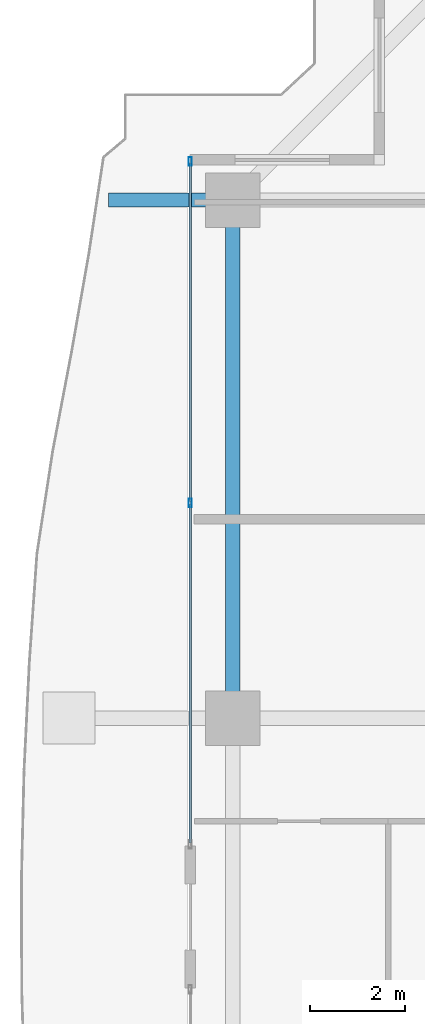
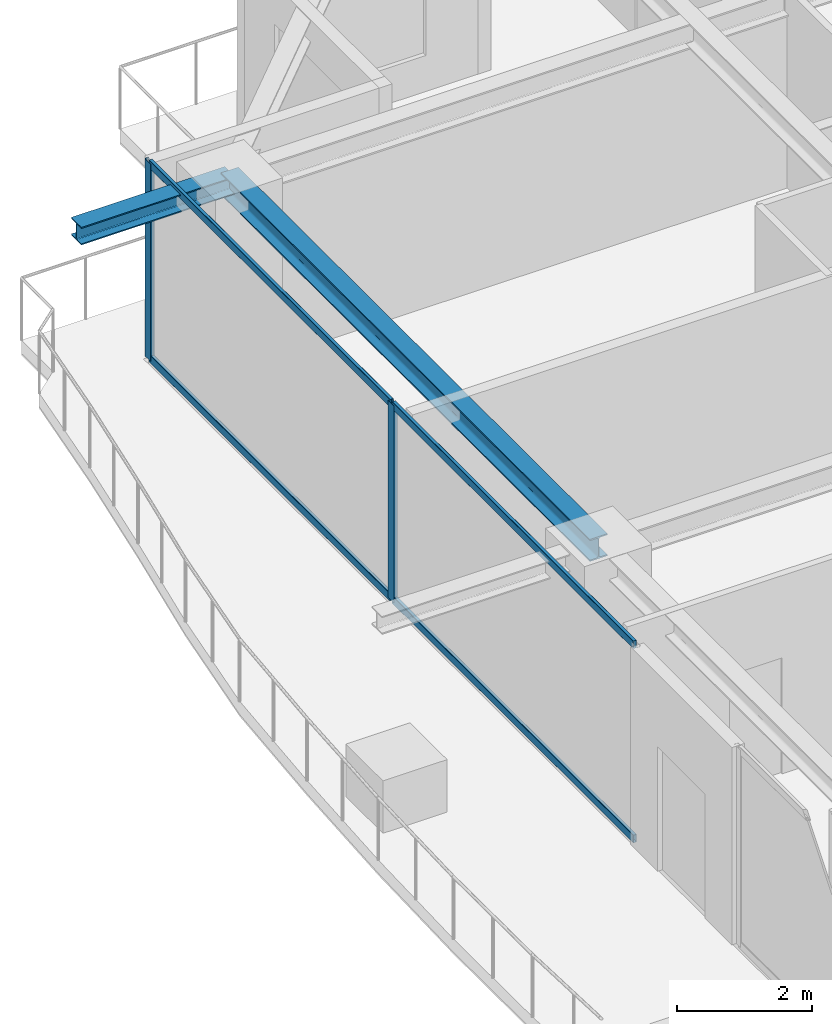
# One storey, part 16 of 35: 6 members, 2 beams, 1 element without a shape of its own.
"""IFC4 building model written with IfcOpenShell, lengths in metres."""

from ifc_helpers import new_model, si_unit, direction, frame, origin, origin_2d, place, context, subcontext, project, spatial, hollow_rectangle, i_section, extrude, source, transform, mapped, material, layer, layer_set, material_profile, profile_set, type_object, element, aggregate, save


model = new_model("IFC4")

# Units and contexts
model_context = context("Model", 3, precision=1e-05, world=origin(), true_north=direction((0.0, 1.0)))
body_context = subcontext(model_context, "Body", "Model", "MODEL_VIEW")
ifc_project = project(units=[si_unit("LENGTHUNIT", "METRE"), si_unit("AREAUNIT", "SQUARE_METRE"), si_unit("VOLUMEUNIT", "CUBIC_METRE"), si_unit("PLANEANGLEUNIT", "RADIAN"), si_unit("MASSUNIT", "GRAM", prefix="KILO")], contexts=[model_context])

# Site, building, storey
site_placement = place(None, origin())
site = spatial("IfcSite", under=ifc_project, at=site_placement, CompositionType="ELEMENT")
building_placement = place(site_placement, origin())
building = spatial("IfcBuilding", under=site, at=building_placement, Name="Serunith Strait Residences", CompositionType="ELEMENT")
storey_placement = place(building_placement, frame((0.0, 0.0, 210.449951171875)))
storey = spatial("IfcBuildingStorey", under=building, at=storey_placement, Name="L52", CompositionType="ELEMENT", Elevation=210.449951171875)

# Beams
ifc_material_1 = material(Name="Steel S355J2", Category="steel")
ifc_material_profile_1 = material_profile(ifc_material_1, i_section(OverallWidth=0.300048828125, OverallDepth=0.39990234375, WebThickness=0.013427734375, FlangeThickness=0.02392578125, FilletRadius=0.027099609375, at=origin_2d()), Name="HEB 400")
ifc_profile_set_1 = profile_set([ifc_material_profile_1], Name="Steel S355J2")
beam_type_1 = type_object("IfcBeamType", Name="BM-HEB400", PredefinedType="BEAM", material=ifc_profile_set_1)
shared_shape_1 = source(origin(), body_context, "Body", "SweptSolid", [
    extrude(i_section(OverallWidth=0.300048828125, OverallDepth=0.39990234375, WebThickness=0.013427734375, FlangeThickness=0.02392578125, FilletRadius=0.027099609375, at=origin_2d()), origin(), (0.0, 0.0, 1.0), 10.9501953125),
])
beam_1_placement = place(storey_placement, frame((8.300048828125, 40.35009765625, 3.386962890625), z_axis=(0.0, -1.0, 0.0), x_axis=(1.0, 0.0, 0.0)))
element("IfcBeam", 1, at=beam_1_placement, inside=storey, type_object=beam_type_1, Name="L52 Perimeter Ring Beam 13", PredefinedType="BEAM", context=body_context, shape_type="MappedRepresentation", body=[
    mapped(shared_shape_1, transform((0.0, 0.0, 0.0), scale=1.0)),
])
ifc_material_profile_2 = material_profile(ifc_material_1, i_section(OverallWidth=0.300048828125, OverallDepth=0.320068359375, WebThickness=0.011474609375, FlangeThickness=0.0205078125, FilletRadius=0.027099609375, at=origin_2d()), Name="HEB 320")
ifc_profile_set_2 = profile_set([ifc_material_profile_2], Name="Steel S355J2")
beam_type_2 = type_object("IfcBeamType", Name="BM-HEB320", PredefinedType="BEAM", material=ifc_profile_set_2)
shared_shape_2 = source(origin(), body_context, "Body", "SweptSolid", [
    extrude(i_section(OverallWidth=0.300048828125, OverallDepth=0.320068359375, WebThickness=0.011474609375, FlangeThickness=0.0205078125, FilletRadius=0.027099609375, at=origin_2d()), origin(), (0.0, 0.0, 1.0), 2.626220703125),
])
beam_2_placement = place(storey_placement, frame((8.300048828125, 40.35009765625, 3.39697265625), z_axis=(-1.0, 0.0, 0.0), x_axis=(0.0, -1.0, 0.0)))
element("IfcBeam", 2, at=beam_2_placement, inside=storey, type_object=beam_type_2, Name="L53 Cantilevered Balcony Rib TC-W4", PredefinedType="BEAM", context=body_context, shape_type="MappedRepresentation", body=[
    mapped(shared_shape_2, transform((0.0, 0.0, 0.0), scale=1.0)),
])

# Curtain wall, members
ifc_material_2 = material(Name="Pale-Champagne Anodised Aluminium", Category="aluminium")
ifc_layer = layer(ifc_material_2, 0.199951171875, Name="Pale-Champagne Anodised Aluminium")
ifc_layer_set = layer_set([ifc_layer], Name="Pale-Champagne Anodised Aluminium")
curtain_wall_type = type_object("IfcCurtainWallType", Name="CW-SYS4", PredefinedType="NOTDEFINED", material=ifc_layer_set)
curtain_wall_placement = place(storey_placement, origin())
curtain_wall = element("IfcCurtainWall", 3, at=curtain_wall_placement, inside=storey, type_object=curtain_wall_type, Name="L52 W Unitised Fritted Curtain Wall", PredefinedType="NOTDEFINED")
ifc_material_profile_3 = material_profile(ifc_material_2, hollow_rectangle(XDim=0.06494140625, YDim=0.179931640625, WallThickness=0.00341796875, InnerFilletRadius=0.00537109375, OuterFilletRadius=0.0087890625, at=origin_2d()), Name="ALU 180x65x3.5")
ifc_profile_set_3 = profile_set([ifc_material_profile_3], Name="Pale-Champagne Anodised Aluminium")
member_type_1 = type_object("IfcMemberType", Name="CW-SYS4-MULL", PredefinedType="MULLION", material=ifc_profile_set_3)
shared_shape_3 = source(origin(), body_context, "Body", "SweptSolid", [
    extrude(hollow_rectangle(XDim=0.06494140625, YDim=0.179931640625, WallThickness=0.00341796875, InnerFilletRadius=0.00537109375, OuterFilletRadius=0.0087890625, at=origin_2d()), origin(), (0.0, 0.0, 1.0), 3.574951171875),
])
member_1_placement = place(storey_placement, frame((7.39990234375, 41.16748046875, 0.0), z_axis=(0.0, 0.0, 1.0), x_axis=(1.0, 0.0, 0.0)))
member_1 = element("IfcMember", 4, at=member_1_placement, type_object=member_type_1, Name="CW-4 mullion 1", PredefinedType="MULLION", context=body_context, shape_type="MappedRepresentation", body=[
    mapped(shared_shape_3, transform((0.0, 0.0, 0.0), scale=1.0)),
])
member_2_placement = place(storey_placement, frame((7.39990234375, 33.949951171875, 0.0), z_axis=(0.0, 0.0, 1.0), x_axis=(1.0, 0.0, 0.0)))
member_2 = element("IfcMember", 5, at=member_2_placement, type_object=member_type_1, Name="CW-4 mullion 2", PredefinedType="MULLION", context=body_context, shape_type="MappedRepresentation", body=[
    mapped(shared_shape_3, transform((0.0, 0.0, 0.0), scale=1.0)),
])
ifc_material_profile_4 = material_profile(ifc_material_2, hollow_rectangle(XDim=0.06005859375, YDim=0.139892578125, WallThickness=0.00341796875, InnerFilletRadius=0.00537109375, OuterFilletRadius=0.0087890625, at=origin_2d()), Name="ALU 140x60x3.5")
ifc_profile_set_4 = profile_set([ifc_material_profile_4], Name="Pale-Champagne Anodised Aluminium")
member_type_2 = type_object("IfcMemberType", Name="CW-SYS4-TRAN", PredefinedType="USERDEFINED", material=ifc_profile_set_4)
shared_shape_4 = source(origin(), body_context, "Body", "SweptSolid", [
    extrude(hollow_rectangle(XDim=0.06005859375, YDim=0.139892578125, WallThickness=0.00341796875, InnerFilletRadius=0.00537109375, OuterFilletRadius=0.0087890625, at=origin_2d()), origin(), (0.0, 0.0, 1.0), 7.152587890625),
])
member_3_placement = place(storey_placement, frame((7.39990234375, 41.135009765625, 0.030029296875), z_axis=(0.0, -1.0, 0.0), x_axis=(1.0, 0.0, 0.0)))
member_3 = element("IfcMember", 6, at=member_3_placement, type_object=member_type_2, Name="CW-4 transom 1.1", ObjectType="TRANSOM", PredefinedType="USERDEFINED", context=body_context, shape_type="MappedRepresentation", body=[
    mapped(shared_shape_4, transform((0.0, 0.0, 0.0), scale=1.0)),
])
member_4_placement = place(storey_placement, frame((7.39990234375, 41.135009765625, 3.545166015625), z_axis=(0.0, -1.0, 0.0), x_axis=(1.0, 0.0, 0.0)))
member_4 = element("IfcMember", 7, at=member_4_placement, type_object=member_type_2, Name="CW-4 transom 1.2", ObjectType="TRANSOM", PredefinedType="USERDEFINED", context=body_context, shape_type="MappedRepresentation", body=[
    mapped(shared_shape_4, transform((0.0, 0.0, 0.0), scale=1.0)),
])
member_5_placement = place(storey_placement, frame((7.39990234375, 33.91748046875, 0.030029296875), z_axis=(0.0, -1.0, 0.0), x_axis=(1.0, 0.0, 0.0)))
member_5 = element("IfcMember", 8, at=member_5_placement, type_object=member_type_2, Name="CW-4 transom 2.1", ObjectType="TRANSOM", PredefinedType="USERDEFINED", context=body_context, shape_type="MappedRepresentation", body=[
    mapped(shared_shape_4, transform((0.0, 0.0, 0.0), scale=1.0)),
])
member_6_placement = place(storey_placement, frame((7.39990234375, 33.91748046875, 3.545166015625), z_axis=(0.0, -1.0, 0.0), x_axis=(1.0, 0.0, 0.0)))
member_6 = element("IfcMember", 9, at=member_6_placement, type_object=member_type_2, Name="CW-4 transom 2.2", ObjectType="TRANSOM", PredefinedType="USERDEFINED", context=body_context, shape_type="MappedRepresentation", body=[
    mapped(shared_shape_4, transform((0.0, 0.0, 0.0), scale=1.0)),
])
aggregate(curtain_wall, [member_1, member_2, member_3, member_4, member_5, member_6])

save(model, "model.ifc")
